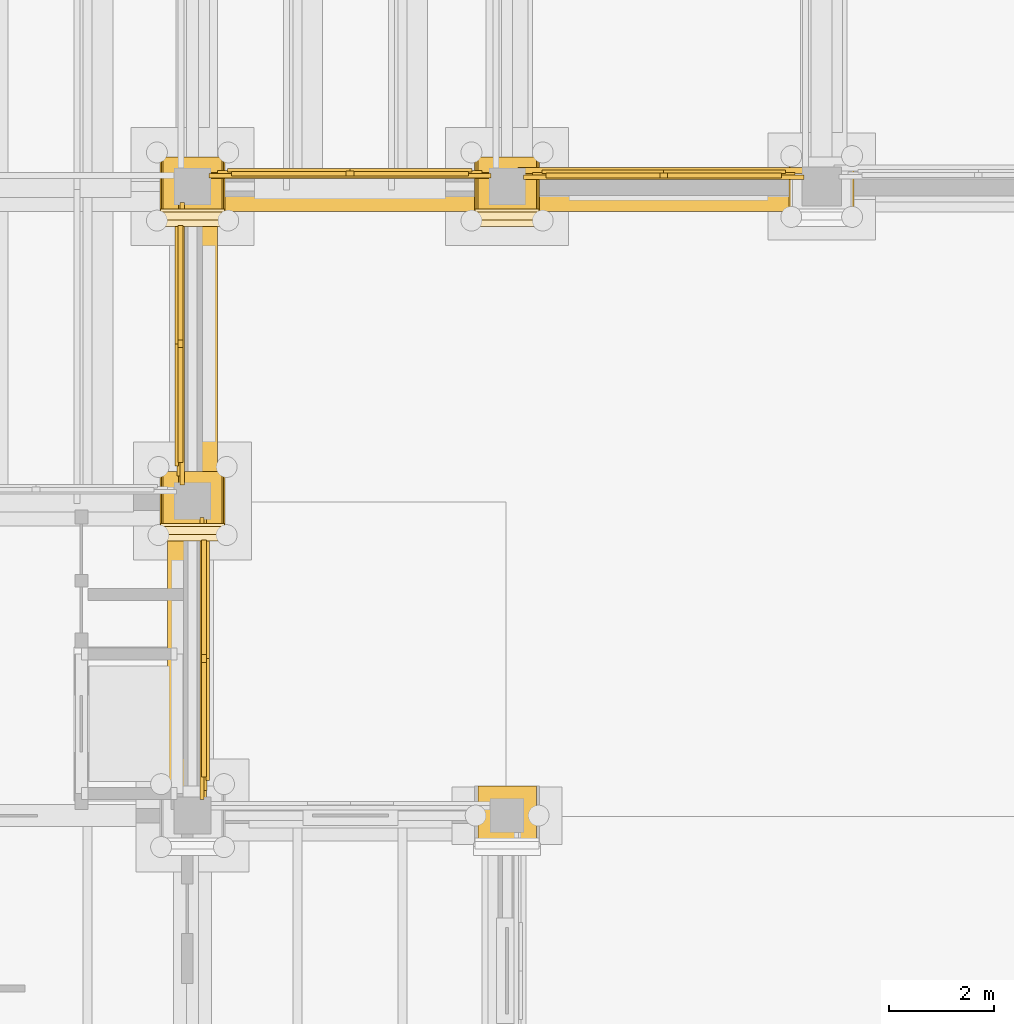
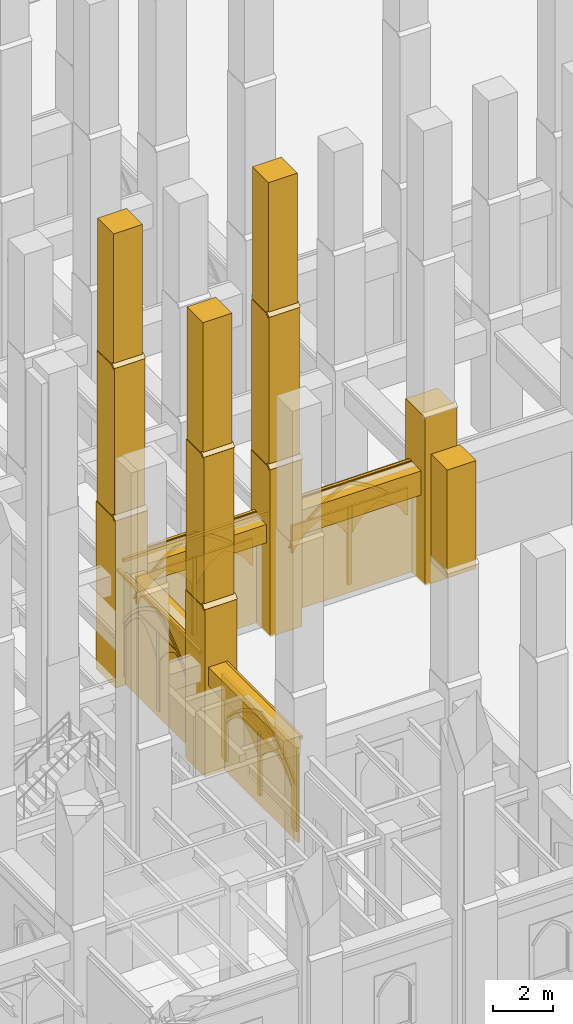
# One storey, part 125 of 135: 49 coverings.
"""IFC4 building model written with IfcOpenShell, lengths in metres."""

import ifcopenshell
import ifcopenshell.guid

model = None  # the IFC model being written
_history = None  # IfcOwnerHistory: only IFC2X3 demands one
_inside = {}  # id of a spatial element -> (the spatial element, [elements in it])
_under = {}  # id of a project, library or spatial element -> (it, [spatial elements below it])
_declared = {}  # id of a project -> (the project, [libraries it declares])
_typed = {}  # id of a type object -> (the type object, [elements of that type])
_made_of = {}  # id of a material, layer set ... -> (it, [elements and type objects made of it])


def new_model(schema):
    """Start an empty IFC model of exactly this schema.

    Asked for "IFC4X3", IfcOpenShell would pick the latest addendum, in which some entities
    have other attributes; the version numbers below select the first issue.
    IFC2X3 requires an IfcOwnerHistory on every rooted entity: one is made here for all.
    """
    global model, _history
    if schema == "IFC4X3":
        model = ifcopenshell.file(schema_version=(4, 3, 0, 0))
    else:
        model = ifcopenshell.file(schema=schema)
    _inside.clear()
    _under.clear()
    _declared.clear()
    _typed.clear()
    _made_of.clear()
    _history = None
    if model.schema == "IFC2X3":
        org = make("IfcOrganization", Name="unknown")
        user = make(
            "IfcPersonAndOrganization",
            ThePerson=make("IfcPerson", FamilyName="unknown"),
            TheOrganization=org,
        )
        app = make(
            "IfcApplication",
            ApplicationDeveloper=org,
            Version="unknown",
            ApplicationFullName="unknown",
            ApplicationIdentifier="unknown",
        )
        _history = make(
            "IfcOwnerHistory",
            OwningUser=user,
            OwningApplication=app,
            ChangeAction="ADDED",
            CreationDate=0,
        )
    return model


def make(cls, **values):
    """One entity of the class cls with the attributes given. An attribute that is None is left unset."""
    return model.create_entity(
        cls, **{name: value for name, value in values.items() if value is not None}
    )


def rooted(cls, **values):
    """An entity with a GlobalId (a new one), such as an element, a storey or a relation."""
    return make(cls, GlobalId=ifcopenshell.guid.new(), OwnerHistory=_history, **values)


def si_unit(unit_type, name, prefix=None):
    """IfcSIUnit, for example si_unit("LENGTHUNIT", "METRE", prefix="MILLI")."""
    return make("IfcSIUnit", UnitType=unit_type, Prefix=prefix, Name=name)


def assignment(units):
    """IfcUnitAssignment: the units of a project."""
    return None if units is None else make("IfcUnitAssignment", Units=units)


def point(xyz):
    """IfcCartesianPoint."""
    return None if xyz is None else make("IfcCartesianPoint", Coordinates=xyz)


def direction(xyz):
    """IfcDirection."""
    return None if xyz is None else make("IfcDirection", DirectionRatios=xyz)


def frame(location, z_axis=None, x_axis=None):
    """IfcAxis2Placement3D, a coordinate frame: its origin and axes. An axis left out is left unset."""
    return make(
        "IfcAxis2Placement3D",
        Location=point(location),
        Axis=direction(z_axis),
        RefDirection=direction(x_axis),
    )


def frame_2d(location, x_axis=None):
    """IfcAxis2Placement2D, a coordinate frame in the plane: its origin and x axis."""
    return make(
        "IfcAxis2Placement2D", Location=point(location), RefDirection=direction(x_axis)
    )


def origin():
    """The frame at (0, 0, 0) with its axes left unset."""
    return frame((0.0, 0.0, 0.0))


def origin_2d():
    """The frame at (0, 0) in the plane with its x axis left unset."""
    return frame_2d((0.0, 0.0))


def place(relative_to, where):
    """IfcLocalPlacement: puts the frame where relative to a parent placement (None: the world)."""
    return make(
        "IfcLocalPlacement", PlacementRelTo=relative_to, RelativePlacement=where
    )


def context(
    kind, dimensions, precision=None, world=None, true_north=None, identifier=None
):
    """IfcGeometricRepresentationContext, for example the 3D "Model" context."""
    return make(
        "IfcGeometricRepresentationContext",
        ContextIdentifier=identifier,
        ContextType=kind,
        CoordinateSpaceDimension=dimensions,
        Precision=precision,
        WorldCoordinateSystem=world,
        TrueNorth=true_north,
    )


def subcontext(parent, identifier, kind, view, scale=None):
    """IfcGeometricRepresentationSubContext, for example "Body" below "Model"."""
    return make(
        "IfcGeometricRepresentationSubContext",
        ContextIdentifier=identifier,
        ContextType=kind,
        ParentContext=parent,
        TargetScale=scale,
        TargetView=view,
    )


def project(units=None, contexts=None):
    """IfcProject with its units and contexts."""
    return rooted(
        "IfcProject",
        Name="project",
        RepresentationContexts=contexts,
        UnitsInContext=assignment(units),
    )


def spatial(cls, under=None, at=None, **own):
    """A site, building, storey or space (cls), placed at a placement, below another one or the project."""
    s = rooted(cls, ObjectPlacement=at, **own)
    if under is not None:
        _under.setdefault(under.id(), (under, []))[1].append(s)
    return s


def polyline(points):
    """IfcPolyline through the points."""
    return make("IfcPolyline", Points=[point(p) for p in points])


def profile(cls, at=None, kind="AREA", **sizes):
    """A parametric profile (cls). Its sizes go by their IFC names, for example OverallWidth=200.0."""
    return make(cls, ProfileType=kind, Position=at, **sizes)


def rectangle(**sizes):
    """IfcRectangleProfileDef."""
    return profile("IfcRectangleProfileDef", **sizes)


def outline(outer, holes=None, kind="AREA"):
    """IfcArbitraryClosedProfileDef: a profile drawn as a closed curve; with holes, ...WithVoids."""
    if holes is None:
        return make("IfcArbitraryClosedProfileDef", ProfileType=kind, OuterCurve=outer)
    return make(
        "IfcArbitraryProfileDefWithVoids",
        ProfileType=kind,
        OuterCurve=outer,
        InnerCurves=holes,
    )


def extrude(swept, where, along, depth):
    """IfcExtrudedAreaSolid: the profile swept, set in the frame where, extruded along a direction by depth."""
    return make(
        "IfcExtrudedAreaSolid",
        SweptArea=swept,
        Position=where,
        ExtrudedDirection=direction(along),
        Depth=depth,
    )


def shape(context_of_items, identifier, shape_type, items):
    """IfcShapeRepresentation: the items that make up one representation, for example the "Body"."""
    return make(
        "IfcShapeRepresentation",
        ContextOfItems=context_of_items,
        RepresentationIdentifier=identifier,
        RepresentationType=shape_type,
        Items=items,
    )


def material(Name=None, Category=None):
    """IfcMaterial."""
    return make("IfcMaterial", Name=Name, Category=Category)


def made_of(thing, what):
    """Note that an element or type object is made of a material, layer set ...; save() writes the relation."""
    if what is not None:
        _made_of.setdefault(what.id(), (what, []))[1].append(thing)
    return thing


def type_object(cls, material=None, **own):
    """A type object (cls), such as IfcWallType, which elements share."""
    return made_of(rooted(cls, **own), material)


def element(
    cls,
    number,
    at=None,
    inside=None,
    cuts=None,
    type_object=None,
    material=None,
    context=None,
    identifier="Body",
    shape_type=None,
    held_by="IfcProductDefinitionShape",
    body=None,
    shapes=None,
    **own,
):
    """One element of the class cls, such as IfcWall. Its Tag is "e" and its number.

    at: its placement. inside: the storey or other place that contains it. cuts: it is an
    opening in that element (IfcRelVoidsElement). A single representation is given by context,
    identifier, shape_type and body (its items); several are given by shapes. held_by: the class
    of the entity that holds the representations. save() writes the other relations.
    """
    e = rooted(cls, Tag="e%d" % number, ObjectPlacement=at, **own)
    if body is not None:
        shapes = [shape(context, identifier, shape_type, body)]
    if shapes is not None:
        e.Representation = make(held_by, Representations=shapes)
    if inside is not None:
        _inside.setdefault(inside.id(), (inside, []))[1].append(e)
    if cuts is not None:
        rooted(
            "IfcRelVoidsElement", RelatingBuildingElement=cuts, RelatedOpeningElement=e
        )
    if type_object is not None:
        _typed.setdefault(type_object.id(), (type_object, []))[1].append(e)
    return made_of(e, material)


def aggregate(whole, parts):
    """IfcRelAggregates: a whole, such as a stair, and the parts it consists of."""
    return rooted("IfcRelAggregates", RelatingObject=whole, RelatedObjects=parts)


def save(model, path):
    """Write the relations noted so far, then the file.

    IfcRelAggregates (storeys below a building ...), IfcRelContainedInSpatialStructure (elements
    in a storey), IfcRelDefinesByType, IfcRelAssociatesMaterial and IfcRelDeclares: one each for
    every whole, place, type object, material and project.
    """
    for whole, parts in _under.values():
        aggregate(whole, parts)
    for where, things in _inside.values():
        rooted(
            "IfcRelContainedInSpatialStructure",
            RelatedElements=things,
            RelatingStructure=where,
        )
    for kind, things in _typed.values():
        rooted("IfcRelDefinesByType", RelatedObjects=things, RelatingType=kind)
    for what, things in _made_of.values():
        rooted("IfcRelAssociatesMaterial", RelatedObjects=things, RelatingMaterial=what)
    for by, libraries in _declared.values():
        rooted("IfcRelDeclares", RelatingContext=by, RelatedDefinitions=libraries)
    model.write(path)


model = new_model("IFC4")

# Units and contexts
model_context = context("Model", 3, precision=1e-05, world=origin(), true_north=direction((0.0, 1.0)))
body_context = subcontext(model_context, "Body", "Model", "MODEL_VIEW")
ifc_project = project(units=[si_unit("LENGTHUNIT", "METRE"), si_unit("AREAUNIT", "SQUARE_METRE"), si_unit("VOLUMEUNIT", "CUBIC_METRE"), si_unit("PLANEANGLEUNIT", "RADIAN"), si_unit("MASSUNIT", "GRAM", prefix="KILO")], contexts=[model_context])

# Site, building, storey
site_placement = place(None, origin())
site = spatial("IfcSite", under=ifc_project, at=site_placement, CompositionType="ELEMENT")
building_placement = place(site_placement, origin())
building = spatial("IfcBuilding", under=site, at=building_placement, Name="Cumevento Cable Car Station", CompositionType="ELEMENT")
storey_placement = place(building_placement, origin())
storey = spatial("IfcBuildingStorey", under=building, at=storey_placement, Name="L01", CompositionType="ELEMENT", Elevation=0.0)

# Coverings
ifc_material = material(Name="Gnaisse Facoidal Stone Ashlar 85 MPa", Category="masonry")
covering_type = type_object("IfcCoveringType", Name="Gnaisse Ashlar Cladding CV-CL01", PredefinedType="CLADDING", material=ifc_material)
covering_1_placement = place(storey_placement, frame((130.0, 26.909912109375, -0.06005859375), z_axis=(0.0, 0.0, 1.0), x_axis=(1.0, 0.0, 0.0)))
element("IfcCovering", 1, at=covering_1_placement, inside=storey, type_object=covering_type, Name="Stepped Gothic Stone Buttress Tier 1 bt:130.0:27.0", PredefinedType="CLADDING", context=body_context, shape_type="SweptSolid", body=[
    extrude(rectangle(XDim=1.239990234375, YDim=1.300048828125, at=origin_2d()), origin(), (0.0, 0.0, 1.0), 6.885498046875),
])
covering_2_placement = place(storey_placement, frame((129.360107421875, 26.239990234375, 6.8056640625), z_axis=(0.0, -0.711135781079, 0.703054692658), x_axis=(1.0, 0.0, 0.0)))
element("IfcCovering", 2, at=covering_2_placement, inside=storey, type_object=covering_type, Name="Gothic Buttress Sloped Stone Weathering 1 bt:130.0:27.0", PredefinedType="CLADDING", context=body_context, shape_type="SweptSolid", body=[
    extrude(outline(polyline([(0.0, 0.0), (1.27978515625, 0.0), (1.27978515625, 0.24169083397703695), (0.0, 0.24169083397703695), (0.0, 0.0)])), origin(), (0.0, 0.0, -1.0), 0.090087890625),
])
covering_3_placement = place(storey_placement, frame((130.0, 26.969970703125, 6.46337890625), z_axis=(0.0, 0.0, 1.0), x_axis=(1.0, 0.0, 0.0)))
element("IfcCovering", 3, at=covering_3_placement, inside=storey, type_object=covering_type, Name="Stepped Gothic Stone Buttress Tier 2 bt:130.0:27.0", PredefinedType="CLADDING", context=body_context, shape_type="SweptSolid", body=[
    extrude(rectangle(XDim=1.179931640625, YDim=1.179931640625, at=origin_2d()), origin(), (0.0, 0.0, 1.0), 6.523193359375),
])
covering_4_placement = place(storey_placement, frame((129.389892578125, 26.360107421875, 12.96630859375), z_axis=(0.0, -0.714474823669, 0.699661151089), x_axis=(1.0, 0.0, 0.0)))
element("IfcCovering", 4, at=covering_4_placement, inside=storey, type_object=covering_type, Name="Gothic Buttress Sloped Stone Weathering 2 bt:130.0:27.0", PredefinedType="CLADDING", context=body_context, shape_type="SweptSolid", body=[
    extrude(outline(polyline([(0.0, 0.0), (1.22021484375, 0.0), (1.22021484375, 0.21424991728737655), (0.0, 0.21424991728737655), (0.0, 0.0)])), origin(), (0.0, 0.0, -1.0), 0.090087890625),
])
covering_5_placement = place(storey_placement, frame((130.0, 27.02001953125, 12.6240234375), z_axis=(0.0, 0.0, 1.0), x_axis=(1.0, 0.0, 0.0)))
element("IfcCovering", 5, at=covering_5_placement, inside=storey, type_object=covering_type, Name="Stepped Gothic Stone Buttress Tier 3 bt:130.0:27.0", PredefinedType="CLADDING", context=body_context, shape_type="SweptSolid", body=[
    extrude(rectangle(XDim=1.1201171875, YDim=1.080078125, at=origin_2d()), origin(), (0.0, 0.0, 1.0), 5.77587890625),
])
covering_6_placement = place(storey_placement, frame((130.0, 32.909912109375, -0.06005859375), z_axis=(0.0, 0.0, 1.0), x_axis=(1.0, 0.0, 0.0)))
element("IfcCovering", 6, at=covering_6_placement, inside=storey, type_object=covering_type, Name="Stepped Gothic Stone Buttress Tier 1 bt:130.0:33.0", PredefinedType="CLADDING", context=body_context, shape_type="SweptSolid", body=[
    extrude(rectangle(XDim=1.239990234375, YDim=1.300048828125, at=origin_2d()), origin(), (0.0, 0.0, 1.0), 6.885498046875),
])
covering_7_placement = place(storey_placement, frame((129.360107421875, 32.239990234375, 6.8056640625), z_axis=(0.0, -0.711135781079, 0.703054692658), x_axis=(1.0, 0.0, 0.0)))
element("IfcCovering", 7, at=covering_7_placement, inside=storey, type_object=covering_type, Name="Gothic Buttress Sloped Stone Weathering 1 bt:130.0:33.0", PredefinedType="CLADDING", context=body_context, shape_type="SweptSolid", body=[
    extrude(outline(polyline([(0.0, 0.0), (1.27978515625, 0.0), (1.27978515625, 0.24169083397703695), (0.0, 0.24169083397703695), (0.0, 0.0)])), origin(), (0.0, 0.0, -1.0), 0.090087890625),
])
covering_8_placement = place(storey_placement, frame((130.0, 32.969970703125, 6.46337890625), z_axis=(0.0, 0.0, 1.0), x_axis=(1.0, 0.0, 0.0)))
element("IfcCovering", 8, at=covering_8_placement, inside=storey, type_object=covering_type, Name="Stepped Gothic Stone Buttress Tier 2 bt:130.0:33.0", PredefinedType="CLADDING", context=body_context, shape_type="SweptSolid", body=[
    extrude(rectangle(XDim=1.179931640625, YDim=1.179931640625, at=origin_2d()), origin(), (0.0, 0.0, 1.0), 6.523193359375),
])
covering_9_placement = place(storey_placement, frame((129.389892578125, 32.360107421875, 12.96630859375), z_axis=(0.0, -0.714474823669, 0.699661151089), x_axis=(1.0, 0.0, 0.0)))
element("IfcCovering", 9, at=covering_9_placement, inside=storey, type_object=covering_type, Name="Gothic Buttress Sloped Stone Weathering 2 bt:130.0:33.0", PredefinedType="CLADDING", context=body_context, shape_type="SweptSolid", body=[
    extrude(outline(polyline([(0.0, 0.0), (1.22021484375, 0.0), (1.22021484375, 0.21424991728737655), (0.0, 0.21424991728737655), (0.0, 0.0)])), origin(), (0.0, 0.0, -1.0), 0.090087890625),
])
covering_10_placement = place(storey_placement, frame((130.0, 33.02001953125, 12.6240234375), z_axis=(0.0, 0.0, 1.0), x_axis=(1.0, 0.0, 0.0)))
element("IfcCovering", 10, at=covering_10_placement, inside=storey, type_object=covering_type, Name="Stepped Gothic Stone Buttress Tier 3 bt:130.0:33.0", PredefinedType="CLADDING", context=body_context, shape_type="SweptSolid", body=[
    extrude(rectangle(XDim=1.1201171875, YDim=1.080078125, at=origin_2d()), origin(), (0.0, 0.0, 1.0), 5.77587890625),
])
covering_11_placement = place(storey_placement, frame((136.0, 21.02001953125, 9.47412109375), z_axis=(0.0, 0.0, 1.0), x_axis=(1.0, 0.0, 0.0)))
element("IfcCovering", 11, at=covering_11_placement, inside=storey, type_object=covering_type, Name="Stepped Gothic Stone Buttress Tier 3 bt:136.0:21.0", PredefinedType="CLADDING", context=body_context, shape_type="SweptSolid", body=[
    extrude(rectangle(XDim=1.1201171875, YDim=1.080078125, at=origin_2d()), origin(), (0.0, 0.0, 1.0), 4.426025390625),
])
covering_12_placement = place(storey_placement, frame((136.0, 32.909912109375, -0.06005859375), z_axis=(0.0, 0.0, 1.0), x_axis=(1.0, 0.0, 0.0)))
element("IfcCovering", 12, at=covering_12_placement, inside=storey, type_object=covering_type, Name="Stepped Gothic Stone Buttress Tier 1 bt:136.0:33.0", PredefinedType="CLADDING", context=body_context, shape_type="SweptSolid", body=[
    extrude(rectangle(XDim=1.239990234375, YDim=1.300048828125, at=origin_2d()), origin(), (0.0, 0.0, 1.0), 6.885498046875),
])
covering_13_placement = place(storey_placement, frame((135.360107421875, 32.239990234375, 6.8056640625), z_axis=(0.0, -0.711135781079, 0.703054692658), x_axis=(1.0, 0.0, 0.0)))
element("IfcCovering", 13, at=covering_13_placement, inside=storey, type_object=covering_type, Name="Gothic Buttress Sloped Stone Weathering 1 bt:136.0:33.0", PredefinedType="CLADDING", context=body_context, shape_type="SweptSolid", body=[
    extrude(outline(polyline([(0.0, 0.0), (1.27978515625, 0.0), (1.27978515625, 0.24169083397703695), (0.0, 0.24169083397703695), (0.0, 0.0)])), origin(), (0.0, 0.0, -1.0), 0.090087890625),
])
covering_14_placement = place(storey_placement, frame((136.0, 32.969970703125, 6.46337890625), z_axis=(0.0, 0.0, 1.0), x_axis=(1.0, 0.0, 0.0)))
element("IfcCovering", 14, at=covering_14_placement, inside=storey, type_object=covering_type, Name="Stepped Gothic Stone Buttress Tier 2 bt:136.0:33.0", PredefinedType="CLADDING", context=body_context, shape_type="SweptSolid", body=[
    extrude(rectangle(XDim=1.179931640625, YDim=1.179931640625, at=origin_2d()), origin(), (0.0, 0.0, 1.0), 6.523193359375),
])
covering_15_placement = place(storey_placement, frame((135.389892578125, 32.360107421875, 12.96630859375), z_axis=(0.0, -0.714474823669, 0.699661151089), x_axis=(1.0, 0.0, 0.0)))
element("IfcCovering", 15, at=covering_15_placement, inside=storey, type_object=covering_type, Name="Gothic Buttress Sloped Stone Weathering 2 bt:136.0:33.0", PredefinedType="CLADDING", context=body_context, shape_type="SweptSolid", body=[
    extrude(outline(polyline([(0.0, 0.0), (1.22021484375, 0.0), (1.22021484375, 0.21424991728737655), (0.0, 0.21424991728737655), (0.0, 0.0)])), origin(), (0.0, 0.0, -1.0), 0.090087890625),
])
covering_16_placement = place(storey_placement, frame((136.0, 33.02001953125, 12.6240234375), z_axis=(0.0, 0.0, 1.0), x_axis=(1.0, 0.0, 0.0)))
element("IfcCovering", 16, at=covering_16_placement, inside=storey, type_object=covering_type, Name="Stepped Gothic Stone Buttress Tier 3 bt:136.0:33.0", PredefinedType="CLADDING", context=body_context, shape_type="SweptSolid", body=[
    extrude(rectangle(XDim=1.1201171875, YDim=1.080078125, at=origin_2d()), origin(), (0.0, 0.0, 1.0), 5.77587890625),
])
covering_17_placement = place(storey_placement, frame((142.0, 32.909912109375, -0.06005859375), z_axis=(0.0, 0.0, 1.0), x_axis=(1.0, 0.0, 0.0)))
element("IfcCovering", 17, at=covering_17_placement, inside=storey, type_object=covering_type, Name="Stepped Gothic Stone Buttress Tier 1 bt:142.0:33.0", PredefinedType="CLADDING", context=body_context, shape_type="SweptSolid", body=[
    extrude(rectangle(XDim=1.239990234375, YDim=1.300048828125, at=origin_2d()), origin(), (0.0, 0.0, 1.0), 6.885498046875),
])
covering_18_placement = place(storey_placement, frame((129.85009765625, 24.0, 3.64306640625), z_axis=(0.0, 0.0, 1.0), x_axis=(0.0, -1.0, 0.0)))
element("IfcCovering", 18, at=covering_18_placement, inside=storey, type_object=covering_type, Name="Gothic Stone Spandrel Stringcourse sc:0184", PredefinedType="CLADDING", context=body_context, shape_type="SweptSolid", body=[
    extrude(rectangle(XDim=5.5400390625, YDim=0.659912109375, at=origin_2d()), origin(), (0.0, 0.0, 1.0), 0.7470703125),
])
covering_19_placement = place(storey_placement, frame((130.20751953125, 24.0, 4.260009765625), z_axis=(0.0, 0.0, 1.0), x_axis=(0.0, -1.0, 0.0)))
element("IfcCovering", 19, at=covering_19_placement, inside=storey, type_object=covering_type, Name="Gothic Cornice Dripstone Lip sc:0184", PredefinedType="CLADDING", context=body_context, shape_type="SweptSolid", body=[
    extrude(rectangle(XDim=5.580078125, YDim=0.114990234375, at=origin_2d()), origin(), (0.0, 0.0, 1.0), 0.1298828125),
])
covering_20_placement = place(storey_placement, frame((130.14990234375, 30.0, 3.64306640625), z_axis=(0.0, 0.0, 1.0), x_axis=(0.0, 1.0, 0.0)))
element("IfcCovering", 20, at=covering_20_placement, inside=storey, type_object=covering_type, Name="Gothic Stone Spandrel Stringcourse sc:0189", PredefinedType="CLADDING", context=body_context, shape_type="SweptSolid", body=[
    extrude(rectangle(XDim=5.5400390625, YDim=0.659912109375, at=origin_2d()), origin(), (0.0, 0.0, 1.0), 0.7470703125),
])
covering_21_placement = place(storey_placement, frame((129.79248046875, 30.0, 4.260009765625), z_axis=(0.0, 0.0, 1.0), x_axis=(0.0, 1.0, 0.0)))
element("IfcCovering", 21, at=covering_21_placement, inside=storey, type_object=covering_type, Name="Gothic Cornice Dripstone Lip sc:0189", PredefinedType="CLADDING", context=body_context, shape_type="SweptSolid", body=[
    extrude(rectangle(XDim=5.580078125, YDim=0.114990234375, at=origin_2d()), origin(), (0.0, 0.0, 1.0), 0.1298828125),
])
covering_22_placement = place(storey_placement, frame((133.0, 32.85009765625, 3.64306640625), z_axis=(0.0, 0.0, 1.0), x_axis=(1.0, 0.0, 0.0)))
element("IfcCovering", 22, at=covering_22_placement, inside=storey, type_object=covering_type, Name="Gothic Stone Spandrel Stringcourse sc:0190", PredefinedType="CLADDING", context=body_context, shape_type="SweptSolid", body=[
    extrude(rectangle(XDim=5.5400390625, YDim=0.659912109375, at=origin_2d()), origin(), (0.0, 0.0, 1.0), 0.7470703125),
])
covering_23_placement = place(storey_placement, frame((133.0, 33.20751953125, 4.260009765625), z_axis=(0.0, 0.0, 1.0), x_axis=(1.0, 0.0, 0.0)))
element("IfcCovering", 23, at=covering_23_placement, inside=storey, type_object=covering_type, Name="Gothic Cornice Dripstone Lip sc:0190", PredefinedType="CLADDING", context=body_context, shape_type="SweptSolid", body=[
    extrude(rectangle(XDim=5.580078125, YDim=0.114990234375, at=origin_2d()), origin(), (0.0, 0.0, 1.0), 0.1298828125),
])
covering_24_placement = place(storey_placement, frame((138.987548828125, 32.89990234375, 3.5), z_axis=(0.0, 0.0, 1.0), x_axis=(1.0, 0.0, 0.0)))
element("IfcCovering", 24, at=covering_24_placement, inside=storey, type_object=covering_type, Name="Gothic Stone Spandrel Stringcourse sc:0205", PredefinedType="CLADDING", context=body_context, shape_type="SweptSolid", body=[
    extrude(rectangle(XDim=5.514892578125, YDim=0.760009765625, at=origin_2d()), origin(), (0.0, 0.0, 1.0), 0.989990234375),
])
covering_25_placement = place(storey_placement, frame((138.987548828125, 33.3076171875, 4.360107421875), z_axis=(0.0, 0.0, 1.0), x_axis=(1.0, 0.0, 0.0)))
element("IfcCovering", 25, at=covering_25_placement, inside=storey, type_object=covering_type, Name="Gothic Cornice Dripstone Lip sc:0205", PredefinedType="CLADDING", context=body_context, shape_type="SweptSolid", body=[
    extrude(rectangle(XDim=5.554931640625, YDim=0.114990234375, at=origin_2d()), origin(), (0.0, 0.0, 1.0), 0.1298828125),
])
covering_26_placement = place(storey_placement, frame((130.0, 27.35009765625, 0.0), z_axis=(0.0, 0.0, 1.0), x_axis=(0.0, 1.0, 0.0)))
element("IfcCovering", 26, at=covering_26_placement, inside=storey, type_object=covering_type, Name="Exterior Gnaisse Stone Wall Ashlar #74", PredefinedType="CLADDING", context=body_context, shape_type="SweptSolid", body=[
    extrude(outline(polyline([(-0.0400390625, -0.02001953125), (5.340087890625, -0.02001953125), (5.340087890625, 4.52001953125), (-0.0400390625, 4.52001953125), (-0.0400390625, -0.02001953125)])), frame((0.0, 0.237548828125, 0.0), z_axis=(0.0, -1.0, 0.0), x_axis=(1.0, 0.0, 0.0)), (0.0, 0.0, 1.0), 0.0849609375),
])
placement_1 = place(storey_placement, frame((130.0, 27.530029296875, 0.300048828125), z_axis=(0.0, 0.0, 1.0), x_axis=(0.0, 1.0, 0.0)))
element("IfcCovering", 27, at=placement_1, inside=storey, type_object=covering_type, Name="Gothic Ogival Pointed-Arch Stone Spandrel blind_ogival:0074", PredefinedType="CLADDING", context=body_context, shape_type="SweptSolid", body=[
    extrude(outline(polyline([(-0.050048828125, 0.0), (-0.050048828125, 4.239990234375), (4.989990234375, 4.239990234375), (4.989990234375, 0.0), (4.679931640625, 0.0), (4.679931640625, 2.219970703125), (4.440185546875, 2.557373046875), (4.171142578125, 2.871826171875), (3.875, 3.160888671875), (3.55419921875, 3.422119140625), (3.211181640625, 3.65380859375), (2.848876953125, 3.853515625), (2.469970703125, 4.02001953125), (2.091064453125, 3.853515625), (1.728759765625, 3.65380859375), (1.3857421875, 3.422119140625), (1.06494140625, 3.160888671875), (0.768798828125, 2.871826171875), (0.499755859375, 2.557373046875), (0.260009765625, 2.219970703125), (0.260009765625, 0.0), (-0.050048828125, 0.0)])), frame((0.0, 0.29248046875, 0.0), z_axis=(0.0, -1.0, 0.0), x_axis=(1.0, 0.0, 0.0)), (0.0, 0.0, 1.0), 0.110107421875),
])
covering_28_placement = place(storey_placement, frame((130.0, 27.530029296875, 2.52001953125), z_axis=(0.0, 0.0, 1.0), x_axis=(0.0, 1.0, 0.0)))
element("IfcCovering", 28, at=covering_28_placement, inside=storey, type_object=covering_type, Name="Gothic Pointed Archivolt Hood Moulding blind_ogival:0074", PredefinedType="CLADDING", context=body_context, shape_type="SweptSolid", body=[
    extrude(outline(polyline([(0.260009765625, 0.0), (0.499755859375, 0.33740234375), (0.768798828125, 0.65185546875), (1.06494140625, 0.94091796875), (1.3857421875, 1.2021484375), (1.728759765625, 1.433837890625), (2.091064453125, 1.633544921875), (2.469970703125, 1.800048828125), (2.848876953125, 1.633544921875), (3.211181640625, 1.433837890625), (3.55419921875, 1.2021484375), (3.875, 0.94091796875), (4.171142578125, 0.65185546875), (4.440185546875, 0.33740234375), (4.679931640625, 0.0), (4.801025390625, 0.0), (4.552001953125, 0.36474609375), (4.2705078125, 0.705078125), (3.959228515625, 1.0185546875), (3.62060546875, 1.302001953125), (3.25732421875, 1.55322265625), (2.872802734375, 1.770263671875), (2.469970703125, 1.951171875), (2.067138671875, 1.770263671875), (1.6826171875, 1.55322265625), (1.3193359375, 1.302001953125), (0.980712890625, 1.0185546875), (0.66943359375, 0.705078125), (0.387939453125, 0.36474609375), (0.138916015625, 0.0), (0.260009765625, 0.0)])), frame((0.0, 0.33447265625, 0.0), z_axis=(0.0, -1.0, 0.0), x_axis=(1.0, 0.0, 0.0)), (0.0, 0.0, 1.0), 0.06689453125),
])
element("IfcCovering", 29, at=placement_1, inside=storey, type_object=covering_type, Name="Gothic Bifora Stone Colonnette blind_ogival:0074 #1", PredefinedType="CLADDING", context=body_context, shape_type="SweptSolid", body=[
    extrude(outline(polyline([(2.39501953125, -0.02001953125), (2.544921875, -0.02001953125), (2.544921875, 3.156005859375), (2.39501953125, 3.156005859375), (2.39501953125, -0.02001953125)])), frame((0.0, 0.280517578125, 0.0), z_axis=(0.0, -1.0, 0.0), x_axis=(1.0, 0.0, 0.0)), (0.0, 0.0, 1.0), 0.094970703125),
])
for number, where, z_axis, x_axis, name in (
    (30, (130.0, 27.760009765625, 2.340087890625), (0.0, 0.0, 1.0), (0.0, 1.0, 0.0), "Gothic Ogival Pointed-Arch Stone Spandrel blind_ogival:0074:sub:0"),
    (31, (130.0, 30.044921875, 2.340087890625), (0.0, 0.0, 1.0), (0.0, 1.0, 0.0), "Gothic Ogival Pointed-Arch Stone Spandrel blind_ogival:0074:sub:1"),
):
    element("IfcCovering", number, at=place(storey_placement, frame(where, z_axis=z_axis, x_axis=x_axis)), inside=storey, type_object=covering_type, Name=name, PredefinedType="CLADDING", context=body_context, shape_type="SweptSolid", body=[
        extrude(outline(polyline([(-0.02001953125, 0.0), (-0.02001953125, 1.115966796875), (2.215087890625, 1.115966796875), (2.215087890625, 0.0), (2.155029296875, 0.0), (2.03125, 0.213623046875), (1.88330078125, 0.411376953125), (1.713623046875, 0.5908203125), (1.5244140625, 0.74951171875), (1.318115234375, 0.885009765625), (1.097412109375, 0.99609375), (0.876953125, 0.885009765625), (0.670654296875, 0.74951171875), (0.4814453125, 0.5908203125), (0.311767578125, 0.411376953125), (0.163818359375, 0.213623046875), (0.0400390625, 0.0), (-0.02001953125, 0.0)])), frame((0.0, 0.276611328125, 0.0), z_axis=(0.0, -1.0, 0.0), x_axis=(1.0, 0.0, 0.0)), (0.0, 0.0, 1.0), 0.090087890625),
    ])
covering_30_placement = place(storey_placement, frame((130.35009765625, 33.0, 0.0), z_axis=(0.0, 0.0, 1.0), x_axis=(1.0, 0.0, 0.0)))
element("IfcCovering", 32, at=covering_30_placement, inside=storey, type_object=covering_type, Name="Exterior Gnaisse Stone Wall Ashlar #75", PredefinedType="CLADDING", context=body_context, shape_type="SweptSolid", body=[
    extrude(outline(polyline([(-0.0400390625, -0.02001953125), (5.340087890625, -0.02001953125), (5.340087890625, 4.52001953125), (-0.0400390625, 4.52001953125), (-0.0400390625, -0.02001953125)])), frame((0.0, 0.25, 0.0), z_axis=(0.0, -1.0, 0.0), x_axis=(1.0, 0.0, 0.0)), (0.0, 0.0, 1.0), 0.0849609375),
])
placement_2 = place(storey_placement, frame((130.530029296875, 33.0, 0.300048828125), z_axis=(0.0, 0.0, 1.0), x_axis=(1.0, 0.0, 0.0)))
element("IfcCovering", 33, at=placement_2, inside=storey, type_object=covering_type, Name="Gothic Ogival Pointed-Arch Stone Spandrel blind_ogival:0075", PredefinedType="CLADDING", context=body_context, shape_type="SweptSolid", body=[
    extrude(outline(polyline([(-0.050048828125, 0.0), (-0.050048828125, 4.239990234375), (4.989990234375, 4.239990234375), (4.989990234375, 0.0), (4.679931640625, 0.0), (4.679931640625, 2.219970703125), (4.440185546875, 2.557373046875), (4.171142578125, 2.871826171875), (3.875, 3.160888671875), (3.55419921875, 3.422119140625), (3.211181640625, 3.65380859375), (2.848876953125, 3.853515625), (2.469970703125, 4.02001953125), (2.091064453125, 3.853515625), (1.728759765625, 3.65380859375), (1.3857421875, 3.422119140625), (1.06494140625, 3.160888671875), (0.768798828125, 2.871826171875), (0.499755859375, 2.557373046875), (0.260009765625, 2.219970703125), (0.260009765625, 0.0), (-0.050048828125, 0.0)])), frame((0.0, 0.304931640625, 0.0), z_axis=(0.0, -1.0, 0.0), x_axis=(1.0, 0.0, 0.0)), (0.0, 0.0, 1.0), 0.110107421875),
])
covering_32_placement = place(storey_placement, frame((130.530029296875, 33.0, 2.52001953125), z_axis=(0.0, 0.0, 1.0), x_axis=(1.0, 0.0, 0.0)))
element("IfcCovering", 34, at=covering_32_placement, inside=storey, type_object=covering_type, Name="Gothic Pointed Archivolt Hood Moulding blind_ogival:0075", PredefinedType="CLADDING", context=body_context, shape_type="SweptSolid", body=[
    extrude(outline(polyline([(0.260009765625, 0.0), (0.499755859375, 0.33740234375), (0.768798828125, 0.65185546875), (1.06494140625, 0.94091796875), (1.3857421875, 1.2021484375), (1.728759765625, 1.433837890625), (2.091064453125, 1.633544921875), (2.469970703125, 1.800048828125), (2.848876953125, 1.633544921875), (3.211181640625, 1.433837890625), (3.55419921875, 1.2021484375), (3.875, 0.94091796875), (4.171142578125, 0.65185546875), (4.440185546875, 0.33740234375), (4.679931640625, 0.0), (4.801025390625, 0.0), (4.552001953125, 0.36474609375), (4.2705078125, 0.705078125), (3.959228515625, 1.0185546875), (3.62060546875, 1.302001953125), (3.25732421875, 1.55322265625), (2.872802734375, 1.770263671875), (2.469970703125, 1.951171875), (2.067138671875, 1.770263671875), (1.6826171875, 1.55322265625), (1.3193359375, 1.302001953125), (0.980712890625, 1.0185546875), (0.66943359375, 0.705078125), (0.387939453125, 0.36474609375), (0.138916015625, 0.0), (0.260009765625, 0.0)])), frame((0.0, 0.346923828125, 0.0), z_axis=(0.0, -1.0, 0.0), x_axis=(1.0, 0.0, 0.0)), (0.0, 0.0, 1.0), 0.06689453125),
])
element("IfcCovering", 35, at=placement_2, inside=storey, type_object=covering_type, Name="Gothic Bifora Stone Colonnette blind_ogival:0075 #1", PredefinedType="CLADDING", context=body_context, shape_type="SweptSolid", body=[
    extrude(outline(polyline([(2.39501953125, -0.02001953125), (2.544921875, -0.02001953125), (2.544921875, 3.156005859375), (2.39501953125, 3.156005859375), (2.39501953125, -0.02001953125)])), frame((0.0, 0.29296875, 0.0), z_axis=(0.0, -1.0, 0.0), x_axis=(1.0, 0.0, 0.0)), (0.0, 0.0, 1.0), 0.094970703125),
])
for number, where, z_axis, x_axis, name in (
    (36, (130.760009765625, 33.0, 2.340087890625), (0.0, 0.0, 1.0), (1.0, 0.0, 0.0), "Gothic Ogival Pointed-Arch Stone Spandrel blind_ogival:0075:sub:0"),
    (37, (133.044921875, 33.0, 2.340087890625), (0.0, 0.0, 1.0), (1.0, 0.0, 0.0), "Gothic Ogival Pointed-Arch Stone Spandrel blind_ogival:0075:sub:1"),
):
    element("IfcCovering", number, at=place(storey_placement, frame(where, z_axis=z_axis, x_axis=x_axis)), inside=storey, type_object=covering_type, Name=name, PredefinedType="CLADDING", context=body_context, shape_type="SweptSolid", body=[
        extrude(outline(polyline([(-0.02001953125, 0.0), (-0.02001953125, 1.115966796875), (2.215087890625, 1.115966796875), (2.215087890625, 0.0), (2.155029296875, 0.0), (2.03125, 0.213623046875), (1.88330078125, 0.411376953125), (1.713623046875, 0.5908203125), (1.5244140625, 0.74951171875), (1.318115234375, 0.885009765625), (1.097412109375, 0.99609375), (0.876953125, 0.885009765625), (0.670654296875, 0.74951171875), (0.4814453125, 0.5908203125), (0.311767578125, 0.411376953125), (0.163818359375, 0.213623046875), (0.0400390625, 0.0), (-0.02001953125, 0.0)])), frame((0.0, 0.2890625, 0.0), z_axis=(0.0, -1.0, 0.0), x_axis=(1.0, 0.0, 0.0)), (0.0, 0.0, 1.0), 0.090087890625),
    ])
covering_34_placement = place(storey_placement, frame((136.35009765625, 33.0, 0.0), z_axis=(0.0, 0.0, 1.0), x_axis=(1.0, 0.0, 0.0)))
element("IfcCovering", 38, at=covering_34_placement, inside=storey, type_object=covering_type, Name="Exterior Gnaisse Stone Wall Ashlar #78", PredefinedType="CLADDING", context=body_context, shape_type="SweptSolid", body=[
    extrude(outline(polyline([(-0.0400390625, -0.02001953125), (5.31494140625, -0.02001953125), (5.31494140625, 4.52001953125), (-0.0400390625, 4.52001953125), (-0.0400390625, -0.02001953125)])), frame((0.0, 0.215087890625, 0.0), z_axis=(0.0, -1.0, 0.0), x_axis=(1.0, 0.0, 0.0)), (0.0, 0.0, 1.0), 0.0849609375),
])
placement_3 = place(storey_placement, frame((136.530029296875, 33.0, 0.300048828125), z_axis=(0.0, 0.0, 1.0), x_axis=(1.0, 0.0, 0.0)))
element("IfcCovering", 39, at=placement_3, inside=storey, type_object=covering_type, Name="Gothic Ogival Pointed-Arch Stone Spandrel blind_ogival:0078", PredefinedType="CLADDING", context=body_context, shape_type="SweptSolid", body=[
    extrude(outline(polyline([(-0.050048828125, 0.0), (-0.050048828125, 4.239990234375), (4.965087890625, 4.239990234375), (4.965087890625, 0.0), (4.655029296875, 0.0), (4.655029296875, 2.219970703125), (4.41748046875, 2.55712890625), (4.150390625, 2.87158203125), (3.856201171875, 3.16064453125), (3.537109375, 3.421875), (3.19580078125, 3.653564453125), (2.8349609375, 3.853515625), (2.45751953125, 4.02001953125), (2.080078125, 3.853515625), (1.71923828125, 3.653564453125), (1.3779296875, 3.421875), (1.058837890625, 3.16064453125), (0.7646484375, 2.87158203125), (0.49755859375, 2.55712890625), (0.260009765625, 2.219970703125), (0.260009765625, 0.0), (-0.050048828125, 0.0)])), frame((0.0, 0.27001953125, 0.0), z_axis=(0.0, -1.0, 0.0), x_axis=(1.0, 0.0, 0.0)), (0.0, 0.0, 1.0), 0.110107421875),
])
covering_36_placement = place(storey_placement, frame((136.530029296875, 33.0, 2.52001953125), z_axis=(0.0, 0.0, 1.0), x_axis=(1.0, 0.0, 0.0)))
element("IfcCovering", 40, at=covering_36_placement, inside=storey, type_object=covering_type, Name="Gothic Pointed Archivolt Hood Moulding blind_ogival:0078", PredefinedType="CLADDING", context=body_context, shape_type="SweptSolid", body=[
    extrude(outline(polyline([(0.260009765625, 0.0), (0.49755859375, 0.337158203125), (0.7646484375, 0.651611328125), (1.058837890625, 0.940673828125), (1.3779296875, 1.201904296875), (1.71923828125, 1.43359375), (2.080078125, 1.633544921875), (2.45751953125, 1.800048828125), (2.8349609375, 1.633544921875), (3.19580078125, 1.43359375), (3.537109375, 1.201904296875), (3.856201171875, 0.940673828125), (4.150390625, 0.651611328125), (4.41748046875, 0.337158203125), (4.655029296875, 0.0), (4.77587890625, 0.0), (4.529052734375, 0.364501953125), (4.249755859375, 0.704833984375), (3.9404296875, 1.01806640625), (3.603515625, 1.3017578125), (3.241943359375, 1.552978515625), (2.85888671875, 1.770263671875), (2.45751953125, 1.951171875), (2.05615234375, 1.770263671875), (1.673095703125, 1.552978515625), (1.3115234375, 1.3017578125), (0.974609375, 1.01806640625), (0.665283203125, 0.704833984375), (0.385986328125, 0.364501953125), (0.138916015625, 0.0), (0.260009765625, 0.0)])), frame((0.0, 0.31201171875, 0.0), z_axis=(0.0, -1.0, 0.0), x_axis=(1.0, 0.0, 0.0)), (0.0, 0.0, 1.0), 0.06689453125),
])
element("IfcCovering", 41, at=placement_3, inside=storey, type_object=covering_type, Name="Gothic Bifora Stone Colonnette blind_ogival:0078 #1", PredefinedType="CLADDING", context=body_context, shape_type="SweptSolid", body=[
    extrude(outline(polyline([(2.382568359375, -0.02001953125), (2.532470703125, -0.02001953125), (2.532470703125, 3.156005859375), (2.382568359375, 3.156005859375), (2.382568359375, -0.02001953125)])), frame((0.0, 0.258056640625, 0.0), z_axis=(0.0, -1.0, 0.0), x_axis=(1.0, 0.0, 0.0)), (0.0, 0.0, 1.0), 0.094970703125),
])
for number, where, z_axis, x_axis, name in (
    (42, (136.760009765625, 33.0, 2.340087890625), (0.0, 0.0, 1.0), (1.0, 0.0, 0.0), "Gothic Ogival Pointed-Arch Stone Spandrel blind_ogival:0078:sub:0"),
    (43, (139.032470703125, 33.0, 2.340087890625), (0.0, 0.0, 1.0), (1.0, 0.0, 0.0), "Gothic Ogival Pointed-Arch Stone Spandrel blind_ogival:0078:sub:1"),
):
    element("IfcCovering", number, at=place(storey_placement, frame(where, z_axis=z_axis, x_axis=x_axis)), inside=storey, type_object=covering_type, Name=name, PredefinedType="CLADDING", context=body_context, shape_type="SweptSolid", body=[
        extrude(outline(polyline([(-0.02001953125, 0.0), (-0.02001953125, 1.115966796875), (2.202392578125, 1.115966796875), (2.202392578125, 0.0), (2.142578125, 0.0), (2.02001953125, 0.21337890625), (1.873291015625, 0.4111328125), (1.704833984375, 0.590576171875), (1.5166015625, 0.749267578125), (1.31103515625, 0.885009765625), (1.09130859375, 0.99609375), (0.87158203125, 0.885009765625), (0.666015625, 0.749267578125), (0.477783203125, 0.590576171875), (0.309326171875, 0.4111328125), (0.16259765625, 0.21337890625), (0.0400390625, 0.0), (-0.02001953125, 0.0)])), frame((0.0, 0.25390625, 0.0), z_axis=(0.0, -1.0, 0.0), x_axis=(1.0, 0.0, 0.0)), (0.0, 0.0, 1.0), 0.090087890625),
    ])
covering_38_placement = place(storey_placement, frame((130.0, 26.64990234375, 0.0), z_axis=(0.0, 0.0, 1.0), x_axis=(0.0, -1.0, 0.0)))
element("IfcCovering", 44, at=covering_38_placement, inside=storey, type_object=covering_type, Name="Exterior Gnaisse Stone Wall Ashlar #166", PredefinedType="CLADDING", context=body_context, shape_type="SweptSolid", body=[
    extrude(outline(polyline([(-0.0400390625, -0.02001953125), (5.340087890625, -0.02001953125), (5.340087890625, 3.722900390625), (-0.0400390625, 3.722900390625), (-0.0400390625, -0.02001953125)])), frame((0.0, 0.222412109375, 0.0), z_axis=(0.0, -1.0, 0.0), x_axis=(1.0, 0.0, 0.0)), (0.0, 0.0, 1.0), 0.0849609375),
])
placement_4 = place(storey_placement, frame((130.0, 26.469970703125, 0.300048828125), z_axis=(0.0, 0.0, 1.0), x_axis=(0.0, -1.0, 0.0)))
element("IfcCovering", 45, at=placement_4, inside=storey, type_object=covering_type, Name="Gothic Ogival Pointed-Arch Stone Spandrel blind_ogival:0166", PredefinedType="CLADDING", context=body_context, shape_type="SweptSolid", body=[
    extrude(outline(polyline([(-0.050048828125, 0.0), (-0.050048828125, 3.443115234375), (4.989990234375, 3.443115234375), (4.989990234375, 0.0), (4.679931640625, 0.0), (4.679931640625, 1.773681640625), (4.416259765625, 2.050048828125), (4.132568359375, 2.3056640625), (3.830078125, 2.5390625), (3.510498046875, 2.74853515625), (3.176025390625, 2.932861328125), (2.82861328125, 3.091552734375), (2.469970703125, 3.222900390625), (2.111328125, 3.091552734375), (1.763916015625, 2.932861328125), (1.429443359375, 2.74853515625), (1.10986328125, 2.5390625), (0.807373046875, 2.3056640625), (0.523681640625, 2.050048828125), (0.260009765625, 1.773681640625), (0.260009765625, 0.0), (-0.050048828125, 0.0)])), frame((0.0, 0.277587890625, 0.0), z_axis=(0.0, -1.0, 0.0), x_axis=(1.0, 0.0, 0.0)), (0.0, 0.0, 1.0), 0.110107421875),
])
covering_40_placement = place(storey_placement, frame((130.0, 26.469970703125, 2.07373046875), z_axis=(0.0, 0.0, 1.0), x_axis=(0.0, -1.0, 0.0)))
element("IfcCovering", 46, at=covering_40_placement, inside=storey, type_object=covering_type, Name="Gothic Pointed Archivolt Hood Moulding blind_ogival:0166", PredefinedType="CLADDING", context=body_context, shape_type="SweptSolid", body=[
    extrude(outline(polyline([(0.260009765625, 0.0), (0.523681640625, 0.2763671875), (0.807373046875, 0.531982421875), (1.10986328125, 0.765380859375), (1.429443359375, 0.974853515625), (1.763916015625, 1.1591796875), (2.111328125, 1.31787109375), (2.469970703125, 1.44921875), (2.82861328125, 1.31787109375), (3.176025390625, 1.1591796875), (3.510498046875, 0.974853515625), (3.830078125, 0.765380859375), (4.132568359375, 0.531982421875), (4.416259765625, 0.2763671875), (4.679931640625, 0.0), (4.801025390625, 0.0), (4.527587890625, 0.30419921875), (4.23095703125, 0.5859375), (3.913330078125, 0.843505859375), (3.575927734375, 1.074951171875), (3.2216796875, 1.279296875), (2.85205078125, 1.454833984375), (2.469970703125, 1.6005859375), (2.087890625, 1.454833984375), (1.71826171875, 1.279296875), (1.364013671875, 1.074951171875), (1.026611328125, 0.843505859375), (0.708984375, 0.5859375), (0.412353515625, 0.30419921875), (0.138916015625, 0.0), (0.260009765625, 0.0)])), frame((0.0, 0.319580078125, 0.0), z_axis=(0.0, -1.0, 0.0), x_axis=(1.0, 0.0, 0.0)), (0.0, 0.0, 1.0), 0.06689453125),
])
element("IfcCovering", 47, at=placement_4, inside=storey, type_object=covering_type, Name="Gothic Bifora Stone Colonnette blind_ogival:0166 #1", PredefinedType="CLADDING", context=body_context, shape_type="SweptSolid", body=[
    extrude(outline(polyline([(2.39501953125, -0.02001953125), (2.544921875, -0.02001953125), (2.544921875, 2.52734375), (2.39501953125, 2.52734375), (2.39501953125, -0.02001953125)])), frame((0.0, 0.265380859375, 0.0), z_axis=(0.0, -1.0, 0.0), x_axis=(1.0, 0.0, 0.0)), (0.0, 0.0, 1.0), 0.094970703125),
])
for number, where, z_axis, x_axis, name in (
    (48, (130.0, 26.239990234375, 1.893798828125), (0.0, 0.0, 1.0), (0.0, -1.0, 0.0), "Gothic Ogival Pointed-Arch Stone Spandrel blind_ogival:0166:sub:0"),
    (49, (130.0, 23.955078125, 1.893798828125), (0.0, 0.0, 1.0), (0.0, -1.0, 0.0), "Gothic Ogival Pointed-Arch Stone Spandrel blind_ogival:0166:sub:1"),
):
    element("IfcCovering", number, at=place(storey_placement, frame(where, z_axis=z_axis, x_axis=x_axis)), inside=storey, type_object=covering_type, Name=name, PredefinedType="CLADDING", context=body_context, shape_type="SweptSolid", body=[
        extrude(outline(polyline([(-0.02001953125, 0.0), (-0.02001953125, 0.93359375), (2.215087890625, 0.93359375), (2.215087890625, 0.0), (2.155029296875, 0.0), (2.01611328125, 0.177734375), (1.85986328125, 0.3408203125), (1.688232421875, 0.487060546875), (1.502685546875, 0.61572265625), (1.30517578125, 0.724853515625), (1.097412109375, 0.813720703125), (0.889892578125, 0.724853515625), (0.6923828125, 0.61572265625), (0.5068359375, 0.487060546875), (0.335205078125, 0.3408203125), (0.178955078125, 0.177734375), (0.0400390625, 0.0), (-0.02001953125, 0.0)])), frame((0.0, 0.261474609375, 0.0), z_axis=(0.0, -1.0, 0.0), x_axis=(1.0, 0.0, 0.0)), (0.0, 0.0, 1.0), 0.090087890625),
    ])

save(model, "model.ifc")
